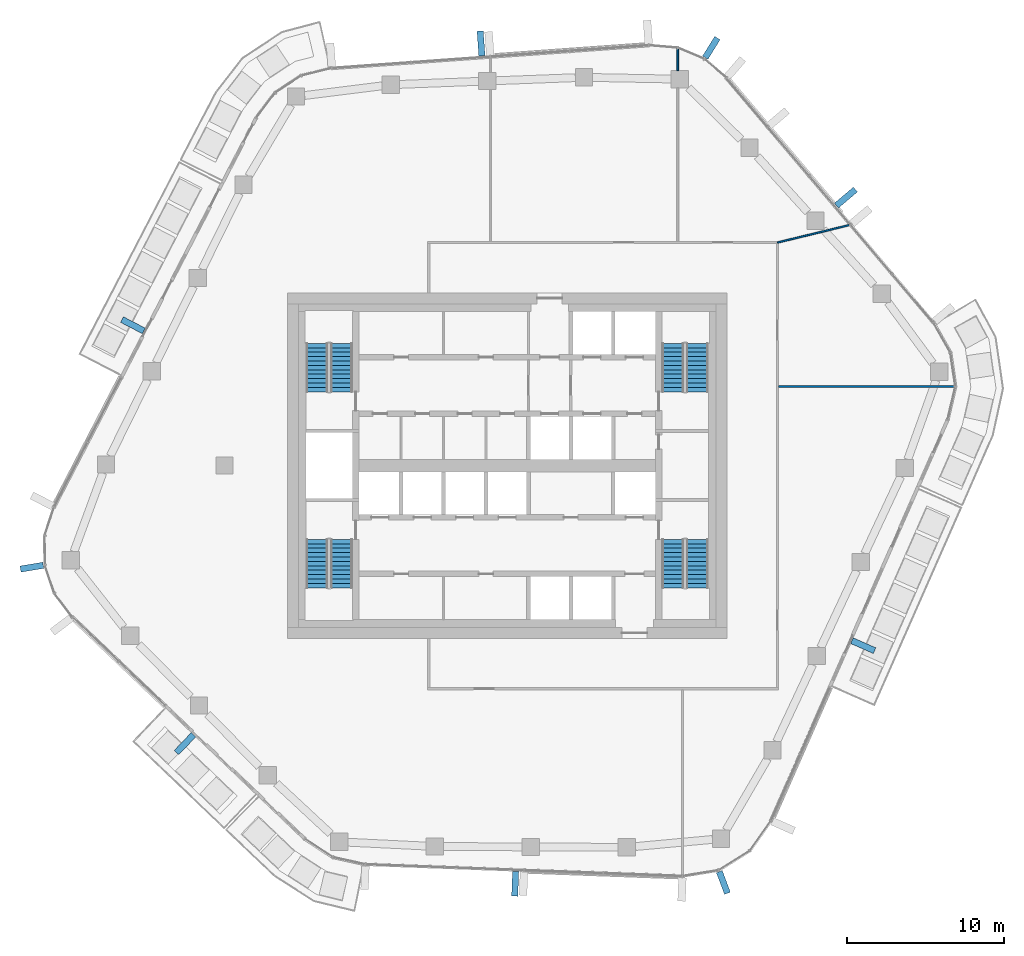
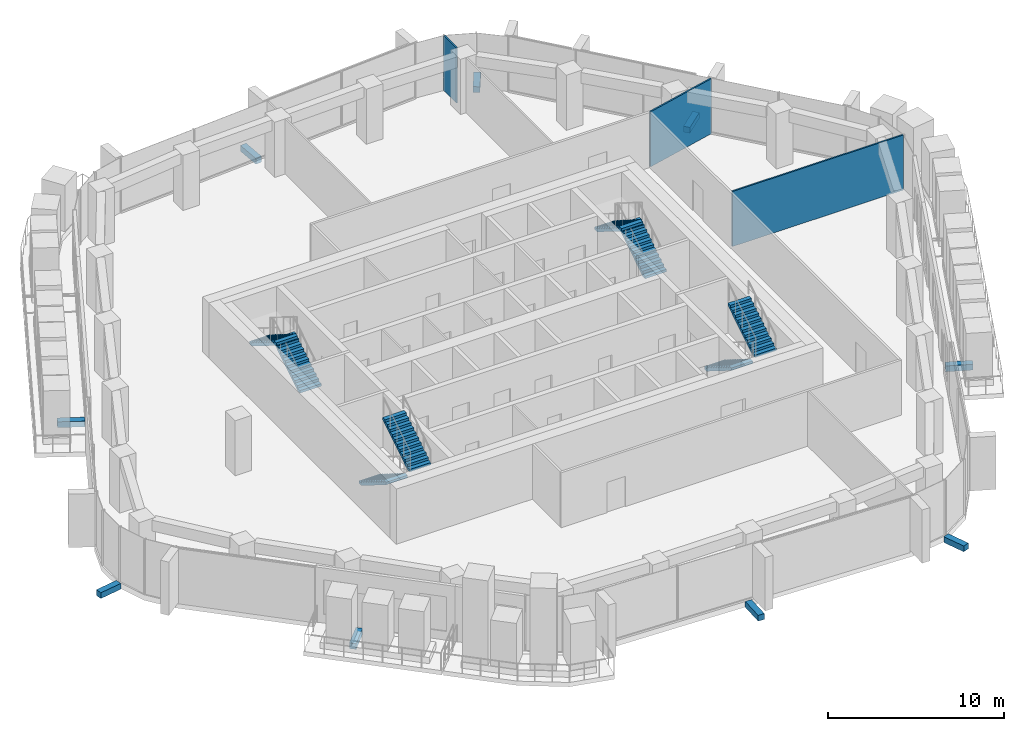
# One storey, part 14 of 21: 9 discrete accessories, 8 stair flights, 3 walls, 4 elements without a shape of their own.
"""IFC4 building model written with IfcOpenShell, lengths in metres."""

from ifc_helpers import new_model, si_unit, direction, frame, frame_2d, origin, origin_2d, place, context, subcontext, project, spatial, polyline, rectangle, outline, extrude, material, layer, layer_set, type_object, element, aggregate, save


model = new_model("IFC4")

# Units and contexts
model_context = context("Model", 3, precision=1e-05, world=origin(), true_north=direction((0.0, 1.0)))
body_context = subcontext(model_context, "Body", "Model", "MODEL_VIEW")
ifc_project = project(units=[si_unit("LENGTHUNIT", "METRE"), si_unit("AREAUNIT", "SQUARE_METRE"), si_unit("VOLUMEUNIT", "CUBIC_METRE"), si_unit("PLANEANGLEUNIT", "RADIAN"), si_unit("MASSUNIT", "GRAM", prefix="KILO")], contexts=[model_context])

# Site, building, storey
site_placement = place(None, origin())
site = spatial("IfcSite", under=ifc_project, at=site_placement, CompositionType="ELEMENT")
building_placement = place(site_placement, origin())
building = spatial("IfcBuilding", under=site, at=building_placement, Name="Dongbaek Canopy Tower", CompositionType="ELEMENT")
storey_placement = place(building_placement, frame((0.0, 0.0, 274.800048828125)))
storey = spatial("IfcBuildingStorey", under=building, at=storey_placement, Name="L58", CompositionType="ELEMENT", Elevation=274.800048828125)

# Walls
ifc_material_1 = material(Name="Gypsum board partition, steel stud, 2 x 12.5 mm board", Category="steel")
ifc_layer_1 = layer(ifc_material_1, 0.10009765625)
ifc_layer_set_1 = layer_set([ifc_layer_1], Name="Partition 100 gypsum board")
wall_type = type_object("IfcWallType", Name="Partition 100 gypsum board", PredefinedType="PARTITIONING", material=ifc_layer_set_1)
wall_1_placement = place(storey_placement, frame((17.27490234375, 5.033935546875, 0.0), z_axis=(0.0, 0.0, 1.0), x_axis=(1.0, 0.0, 0.0)))
element("IfcWall", 1, at=wall_1_placement, inside=storey, type_object=wall_type, Name="Partition", PredefinedType="PARTITIONING", context=body_context, shape_type="SweptSolid", body=[
    extrude(rectangle(XDim=11.22705078125, YDim=0.10009765625, at=frame_2d((5.613525390625, 0.0))), origin(), (0.0, 0.0, 1.0), 3.820068359375),
])
wall_2_placement = place(storey_placement, frame((17.199951171875, 14.2001953125, 0.0), z_axis=(0.0, 0.0, 1.0), x_axis=(0.971845844502, 0.235617602322, 0.0)))
element("IfcWall", 2, at=wall_2_placement, inside=storey, type_object=wall_type, Name="Partition", PredefinedType="PARTITIONING", context=body_context, shape_type="SweptSolid", body=[
    extrude(rectangle(XDim=4.7705078125, YDim=0.10009765625, at=frame_2d((2.38525390625, 0.0))), origin(), (0.0, 0.0, 1.0), 3.820068359375),
])
wall_3_placement = place(storey_placement, frame((10.85302734375, 25.14892578125, 0.0), z_axis=(0.0, 0.0, 1.0), x_axis=(0.0, 1.0, 0.0)))
element("IfcWall", 3, at=wall_3_placement, inside=storey, type_object=wall_type, Name="Partition", PredefinedType="PARTITIONING", context=body_context, shape_type="SweptSolid", body=[
    extrude(rectangle(XDim=1.42333984375, YDim=0.10009765625, at=frame_2d((0.711669921875, 0.0))), origin(), (0.0, 0.0, 1.0), 3.820068359375),
])

# Stair, stair flights
ifc_material_2 = material(Name="Concrete C40/50", Category="concrete")
stair_type = type_object("IfcStairType", Name="Core exit stair", PredefinedType="HALF_TURN_STAIR", material=ifc_material_2)
stair_1_placement = place(storey_placement, origin())
stair_1 = element("IfcStair", 4, at=stair_1_placement, inside=storey, type_object=stair_type, Name="L58 exit stair A", PredefinedType="HALF_TURN_STAIR")
ifc_material_3 = material(Name="Concrete C40/50", Category="concrete")
ifc_layer_2 = layer(ifc_material_3, 0.14990234375)
ifc_layer_set_2 = layer_set([ifc_layer_2], Name="Core stair flight 150 waist")
stair_flight_type = type_object("IfcStairFlightType", Name="Core stair flight 150 waist", PredefinedType="STRAIGHT", material=ifc_layer_set_2)
stair_flight_1_placement = place(storey_placement, frame((12.10009765625, 4.699951171875, 0.0), z_axis=(0.0, 0.0, 1.0), x_axis=(0.0, 1.0, 0.0)))
stair_flight_1 = element("IfcStairFlight", 5, at=stair_flight_1_placement, type_object=stair_flight_type, Name="ST-A flight 1", NumberOfRisers=12, NumberOfTreads=11, PredefinedType="STRAIGHT", RiserHeight=0.175, TreadLength=0.28, context=body_context, shape_type="SweptSolid", body=[
    extrude(outline(polyline([(0.0, 0.0), (0.0, 0.175048828125), (0.280029296875, 0.175048828125), (0.280029296875, 0.35009765625), (0.56005859375, 0.35009765625), (0.56005859375, 0.52490234375), (0.840087890625, 0.52490234375), (0.840087890625, 0.699951171875), (1.1201171875, 0.699951171875), (1.1201171875, 0.875), (1.39990234375, 0.875), (1.39990234375, 1.050048828125), (1.679931640625, 1.050048828125), (1.679931640625, 1.22509765625), (1.9599609375, 1.22509765625), (1.9599609375, 1.39990234375), (2.239990234375, 1.39990234375), (2.239990234375, 1.574951171875), (2.52001953125, 1.574951171875), (2.52001953125, 1.75), (2.800048828125, 1.75), (2.800048828125, 1.925048828125), (3.080078125, 1.925048828125), (3.080078125, 2.10009765625), (3.080078125, 1.748291015625), (0.28271484375, 0.0), (0.0, 0.0)])), frame((0.0, 0.699951171875, 0.0), z_axis=(0.0, -1.0, 0.0), x_axis=(1.0, 0.0, 0.0)), (0.0, 0.0, 1.0), 1.39990234375),
])
stair_flight_2_placement = place(storey_placement, frame((10.550048828125, 7.780029296875, 2.099853515625), z_axis=(0.0, 0.0, 1.0), x_axis=(0.0, -1.0, 0.0)))
stair_flight_2 = element("IfcStairFlight", 6, at=stair_flight_2_placement, type_object=stair_flight_type, Name="ST-A flight 2", NumberOfRisers=12, NumberOfTreads=11, PredefinedType="STRAIGHT", RiserHeight=0.175, TreadLength=0.28, context=body_context, shape_type="SweptSolid", body=[
    extrude(outline(polyline([(0.0, 0.0), (0.0, 0.175048828125), (0.280029296875, 0.175048828125), (0.280029296875, 0.35009765625), (0.56005859375, 0.35009765625), (0.56005859375, 0.52490234375), (0.840087890625, 0.52490234375), (0.840087890625, 0.699951171875), (1.1201171875, 0.699951171875), (1.1201171875, 0.875), (1.39990234375, 0.875), (1.39990234375, 1.050048828125), (1.679931640625, 1.050048828125), (1.679931640625, 1.22509765625), (1.9599609375, 1.22509765625), (1.9599609375, 1.39990234375), (2.239990234375, 1.39990234375), (2.239990234375, 1.574951171875), (2.52001953125, 1.574951171875), (2.52001953125, 1.75), (2.800048828125, 1.75), (2.800048828125, 1.925048828125), (3.080078125, 1.925048828125), (3.080078125, 2.10009765625), (3.080078125, 1.748291015625), (0.28271484375, 0.0), (0.0, 0.0)])), frame((0.0, 0.699951171875, 0.0), z_axis=(0.0, -1.0, 0.0), x_axis=(1.0, 0.0, 0.0)), (0.0, 0.0, 1.0), 1.39990234375),
])
aggregate(stair_1, [stair_flight_1, stair_flight_2])

stair_2_placement = place(storey_placement, origin())
stair_2 = element("IfcStair", 7, at=stair_2_placement, inside=storey, type_object=stair_type, Name="L58 exit stair C", PredefinedType="HALF_TURN_STAIR")
stair_flight_3_placement = place(storey_placement, frame((-10.550048828125, 4.699951171875, 0.0), z_axis=(0.0, 0.0, 1.0), x_axis=(0.0, 1.0, 0.0)))
stair_flight_3 = element("IfcStairFlight", 8, at=stair_flight_3_placement, type_object=stair_flight_type, Name="ST-C flight 1", NumberOfRisers=12, NumberOfTreads=11, PredefinedType="STRAIGHT", RiserHeight=0.175, TreadLength=0.28, context=body_context, shape_type="SweptSolid", body=[
    extrude(outline(polyline([(0.0, 0.0), (0.0, 0.175048828125), (0.280029296875, 0.175048828125), (0.280029296875, 0.35009765625), (0.56005859375, 0.35009765625), (0.56005859375, 0.52490234375), (0.840087890625, 0.52490234375), (0.840087890625, 0.699951171875), (1.1201171875, 0.699951171875), (1.1201171875, 0.875), (1.39990234375, 0.875), (1.39990234375, 1.050048828125), (1.679931640625, 1.050048828125), (1.679931640625, 1.22509765625), (1.9599609375, 1.22509765625), (1.9599609375, 1.39990234375), (2.239990234375, 1.39990234375), (2.239990234375, 1.574951171875), (2.52001953125, 1.574951171875), (2.52001953125, 1.75), (2.800048828125, 1.75), (2.800048828125, 1.925048828125), (3.080078125, 1.925048828125), (3.080078125, 2.10009765625), (3.080078125, 1.748291015625), (0.28271484375, 0.0), (0.0, 0.0)])), frame((0.0, 0.699951171875, 0.0), z_axis=(0.0, -1.0, 0.0), x_axis=(1.0, 0.0, 0.0)), (0.0, 0.0, 1.0), 1.39990234375),
])
stair_flight_4_placement = place(storey_placement, frame((-12.10009765625, 7.780029296875, 2.099853515625), z_axis=(0.0, 0.0, 1.0), x_axis=(0.0, -1.0, 0.0)))
stair_flight_4 = element("IfcStairFlight", 9, at=stair_flight_4_placement, type_object=stair_flight_type, Name="ST-C flight 2", NumberOfRisers=12, NumberOfTreads=11, PredefinedType="STRAIGHT", RiserHeight=0.175, TreadLength=0.28, context=body_context, shape_type="SweptSolid", body=[
    extrude(outline(polyline([(0.0, 0.0), (0.0, 0.175048828125), (0.280029296875, 0.175048828125), (0.280029296875, 0.35009765625), (0.56005859375, 0.35009765625), (0.56005859375, 0.52490234375), (0.840087890625, 0.52490234375), (0.840087890625, 0.699951171875), (1.1201171875, 0.699951171875), (1.1201171875, 0.875), (1.39990234375, 0.875), (1.39990234375, 1.050048828125), (1.679931640625, 1.050048828125), (1.679931640625, 1.22509765625), (1.9599609375, 1.22509765625), (1.9599609375, 1.39990234375), (2.239990234375, 1.39990234375), (2.239990234375, 1.574951171875), (2.52001953125, 1.574951171875), (2.52001953125, 1.75), (2.800048828125, 1.75), (2.800048828125, 1.925048828125), (3.080078125, 1.925048828125), (3.080078125, 2.10009765625), (3.080078125, 1.748291015625), (0.28271484375, 0.0), (0.0, 0.0)])), frame((0.0, 0.699951171875, 0.0), z_axis=(0.0, -1.0, 0.0), x_axis=(1.0, 0.0, 0.0)), (0.0, 0.0, 1.0), 1.39990234375),
])
aggregate(stair_2, [stair_flight_3, stair_flight_4])

stair_3_placement = place(storey_placement, origin())
stair_3 = element("IfcStair", 10, at=stair_3_placement, inside=storey, type_object=stair_type, Name="L58 exit stair B", PredefinedType="HALF_TURN_STAIR")
stair_flight_5_placement = place(storey_placement, frame((10.550048828125, -4.699951171875, 0.0), z_axis=(0.0, 0.0, 1.0), x_axis=(0.0, -1.0, 0.0)))
stair_flight_5 = element("IfcStairFlight", 11, at=stair_flight_5_placement, type_object=stair_flight_type, Name="ST-B flight 1", NumberOfRisers=12, NumberOfTreads=11, PredefinedType="STRAIGHT", RiserHeight=0.175, TreadLength=0.28, context=body_context, shape_type="SweptSolid", body=[
    extrude(outline(polyline([(0.0, 0.0), (0.0, 0.175048828125), (0.280029296875, 0.175048828125), (0.280029296875, 0.35009765625), (0.56005859375, 0.35009765625), (0.56005859375, 0.52490234375), (0.840087890625, 0.52490234375), (0.840087890625, 0.699951171875), (1.1201171875, 0.699951171875), (1.1201171875, 0.875), (1.39990234375, 0.875), (1.39990234375, 1.050048828125), (1.679931640625, 1.050048828125), (1.679931640625, 1.22509765625), (1.9599609375, 1.22509765625), (1.9599609375, 1.39990234375), (2.239990234375, 1.39990234375), (2.239990234375, 1.574951171875), (2.52001953125, 1.574951171875), (2.52001953125, 1.75), (2.800048828125, 1.75), (2.800048828125, 1.925048828125), (3.080078125, 1.925048828125), (3.080078125, 2.10009765625), (3.080078125, 1.748291015625), (0.28271484375, 0.0), (0.0, 0.0)])), frame((0.0, 0.699951171875, 0.0), z_axis=(0.0, -1.0, 0.0), x_axis=(1.0, 0.0, 0.0)), (0.0, 0.0, 1.0), 1.39990234375),
])
stair_flight_6_placement = place(storey_placement, frame((12.10009765625, -7.780029296875, 2.099853515625), z_axis=(0.0, 0.0, 1.0), x_axis=(0.0, 1.0, 0.0)))
stair_flight_6 = element("IfcStairFlight", 12, at=stair_flight_6_placement, type_object=stair_flight_type, Name="ST-B flight 2", NumberOfRisers=12, NumberOfTreads=11, PredefinedType="STRAIGHT", RiserHeight=0.175, TreadLength=0.28, context=body_context, shape_type="SweptSolid", body=[
    extrude(outline(polyline([(0.0, 0.0), (0.0, 0.175048828125), (0.280029296875, 0.175048828125), (0.280029296875, 0.35009765625), (0.56005859375, 0.35009765625), (0.56005859375, 0.52490234375), (0.840087890625, 0.52490234375), (0.840087890625, 0.699951171875), (1.1201171875, 0.699951171875), (1.1201171875, 0.875), (1.39990234375, 0.875), (1.39990234375, 1.050048828125), (1.679931640625, 1.050048828125), (1.679931640625, 1.22509765625), (1.9599609375, 1.22509765625), (1.9599609375, 1.39990234375), (2.239990234375, 1.39990234375), (2.239990234375, 1.574951171875), (2.52001953125, 1.574951171875), (2.52001953125, 1.75), (2.800048828125, 1.75), (2.800048828125, 1.925048828125), (3.080078125, 1.925048828125), (3.080078125, 2.10009765625), (3.080078125, 1.748291015625), (0.28271484375, 0.0), (0.0, 0.0)])), frame((0.0, 0.699951171875, 0.0), z_axis=(0.0, -1.0, 0.0), x_axis=(1.0, 0.0, 0.0)), (0.0, 0.0, 1.0), 1.39990234375),
])
aggregate(stair_3, [stair_flight_5, stair_flight_6])

stair_4_placement = place(storey_placement, origin())
stair_4 = element("IfcStair", 13, at=stair_4_placement, inside=storey, type_object=stair_type, Name="L58 exit stair D", PredefinedType="HALF_TURN_STAIR")
stair_flight_7_placement = place(storey_placement, frame((-12.10009765625, -4.699951171875, 0.0), z_axis=(0.0, 0.0, 1.0), x_axis=(0.0, -1.0, 0.0)))
stair_flight_7 = element("IfcStairFlight", 14, at=stair_flight_7_placement, type_object=stair_flight_type, Name="ST-D flight 1", NumberOfRisers=12, NumberOfTreads=11, PredefinedType="STRAIGHT", RiserHeight=0.175, TreadLength=0.28, context=body_context, shape_type="SweptSolid", body=[
    extrude(outline(polyline([(0.0, 0.0), (0.0, 0.175048828125), (0.280029296875, 0.175048828125), (0.280029296875, 0.35009765625), (0.56005859375, 0.35009765625), (0.56005859375, 0.52490234375), (0.840087890625, 0.52490234375), (0.840087890625, 0.699951171875), (1.1201171875, 0.699951171875), (1.1201171875, 0.875), (1.39990234375, 0.875), (1.39990234375, 1.050048828125), (1.679931640625, 1.050048828125), (1.679931640625, 1.22509765625), (1.9599609375, 1.22509765625), (1.9599609375, 1.39990234375), (2.239990234375, 1.39990234375), (2.239990234375, 1.574951171875), (2.52001953125, 1.574951171875), (2.52001953125, 1.75), (2.800048828125, 1.75), (2.800048828125, 1.925048828125), (3.080078125, 1.925048828125), (3.080078125, 2.10009765625), (3.080078125, 1.748291015625), (0.28271484375, 0.0), (0.0, 0.0)])), frame((0.0, 0.699951171875, 0.0), z_axis=(0.0, -1.0, 0.0), x_axis=(1.0, 0.0, 0.0)), (0.0, 0.0, 1.0), 1.39990234375),
])
stair_flight_8_placement = place(storey_placement, frame((-10.550048828125, -7.780029296875, 2.099853515625), z_axis=(0.0, 0.0, 1.0), x_axis=(0.0, 1.0, 0.0)))
stair_flight_8 = element("IfcStairFlight", 15, at=stair_flight_8_placement, type_object=stair_flight_type, Name="ST-D flight 2", NumberOfRisers=12, NumberOfTreads=11, PredefinedType="STRAIGHT", RiserHeight=0.175, TreadLength=0.28, context=body_context, shape_type="SweptSolid", body=[
    extrude(outline(polyline([(0.0, 0.0), (0.0, 0.175048828125), (0.280029296875, 0.175048828125), (0.280029296875, 0.35009765625), (0.56005859375, 0.35009765625), (0.56005859375, 0.52490234375), (0.840087890625, 0.52490234375), (0.840087890625, 0.699951171875), (1.1201171875, 0.699951171875), (1.1201171875, 0.875), (1.39990234375, 0.875), (1.39990234375, 1.050048828125), (1.679931640625, 1.050048828125), (1.679931640625, 1.22509765625), (1.9599609375, 1.22509765625), (1.9599609375, 1.39990234375), (2.239990234375, 1.39990234375), (2.239990234375, 1.574951171875), (2.52001953125, 1.574951171875), (2.52001953125, 1.75), (2.800048828125, 1.75), (2.800048828125, 1.925048828125), (3.080078125, 1.925048828125), (3.080078125, 2.10009765625), (3.080078125, 1.748291015625), (0.28271484375, 0.0), (0.0, 0.0)])), frame((0.0, 0.699951171875, 0.0), z_axis=(0.0, -1.0, 0.0), x_axis=(1.0, 0.0, 0.0)), (0.0, 0.0, 1.0), 1.39990234375),
])
aggregate(stair_4, [stair_flight_7, stair_flight_8])

# Discrete accessories
ifc_material_4 = material(Name="Galvanised steel S355 bracket", Category="steel")
discrete_accessory_type = type_object("IfcDiscreteAccessoryType", Name="Crease fin bracket BR3 400", PredefinedType="BRACKET", material=ifc_material_4)
discrete_accessory_1_placement = place(storey_placement, frame((21.5595703125, 17.060302734375, -0.389892578125), z_axis=(0.0, 0.0, 1.0), x_axis=(0.763291106991, 0.6460547082, 0.0)))
element("IfcDiscreteAccessory", 16, at=discrete_accessory_1_placement, inside=storey, type_object=discrete_accessory_type, Name="Crease fin bracket L58 F0", PredefinedType="BRACKET", context=body_context, shape_type="SweptSolid", body=[
    extrude(rectangle(XDim=1.58056640625, YDim=0.39990234375, at=origin_2d()), origin(), (0.0, 0.0, 1.0), 0.39990234375),
])
discrete_accessory_2_placement = place(storey_placement, frame((-1.66748046875, 26.8740234375, -0.389892578125), z_axis=(0.0, 0.0, 1.0), x_axis=(-0.07174464462, 0.997423032604, 0.0)))
element("IfcDiscreteAccessory", 17, at=discrete_accessory_2_placement, inside=storey, type_object=discrete_accessory_type, Name="Crease fin bracket L58 F1", PredefinedType="BRACKET", context=body_context, shape_type="SweptSolid", body=[
    extrude(rectangle(XDim=1.578125, YDim=0.39990234375, at=origin_2d()), origin(), (0.0, 0.0, 1.0), 0.39990234375),
])
for number, where, z_axis, x_axis, name in (
    (18, (-23.83203125, 8.936767578125, -0.389892578125), (0.0, 0.0, 1.0), (-0.887462519706, 0.460879893376, 0.0), "Crease fin bracket L58 F2"),
    (19, (-20.51171875, -17.7001953125, -0.389892578125), (0.0, 0.0, 1.0), (-0.690481047292, -0.723350484434, 0.0), "Crease fin bracket L58 F3"),
):
    element("IfcDiscreteAccessory", number, at=place(storey_placement, frame(where, z_axis=z_axis, x_axis=x_axis)), inside=storey, type_object=discrete_accessory_type, Name=name, PredefinedType="BRACKET", context=body_context, shape_type="SweptSolid", body=[
        extrude(rectangle(XDim=1.5673828125, YDim=0.39990234375, at=origin_2d()), origin(), (0.0, 0.0, 1.0), 0.39990234375),
    ])
discrete_accessory_3_placement = place(storey_placement, frame((0.506591796875, -26.622802734375, -0.389892578125), z_axis=(0.0, 0.0, 1.0), x_axis=(-0.036873936466, -0.999319925154, 0.0)))
element("IfcDiscreteAccessory", 20, at=discrete_accessory_3_placement, inside=storey, type_object=discrete_accessory_type, Name="Crease fin bracket L58 F4", PredefinedType="BRACKET", context=body_context, shape_type="SweptSolid", body=[
    extrude(rectangle(XDim=1.570556640625, YDim=0.39990234375, at=origin_2d()), origin(), (0.0, 0.0, 1.0), 0.39990234375),
])
discrete_accessory_4_placement = place(storey_placement, frame((22.663818359375, -11.46337890625, -0.389892578125), z_axis=(0.0, 0.0, 1.0), x_axis=(0.915073027151, -0.403288178578, 0.0)))
element("IfcDiscreteAccessory", 21, at=discrete_accessory_4_placement, inside=storey, type_object=discrete_accessory_type, Name="Crease fin bracket L58 F5", PredefinedType="BRACKET", context=body_context, shape_type="SweptSolid", body=[
    extrude(rectangle(XDim=1.572021484375, YDim=0.39990234375, at=origin_2d()), origin(), (0.0, 0.0, 1.0), 0.39990234375),
])
for number, where, z_axis, x_axis, name in (
    (22, (12.990966796875, 26.590576171875, -0.389892578125), (0.0, 0.0, 1.0), (0.526936511908, 0.849904649016, 0.0), "Corner fin bracket L58 K1"),
    (23, (-30.25732421875, -6.46630859375, -0.389892578125), (0.0, 0.0, 1.0), (-0.986446731752, -0.164081825364, 0.0), "Corner fin bracket L58 K3"),
    (24, (13.75927734375, -26.5361328125, -0.389892578125), (0.0, 0.0, 1.0), (0.35287395283, -0.935670868102, 0.0), "Corner fin bracket L58 K5"),
):
    element("IfcDiscreteAccessory", number, at=place(storey_placement, frame(where, z_axis=z_axis, x_axis=x_axis)), inside=storey, type_object=discrete_accessory_type, Name=name, PredefinedType="BRACKET", context=body_context, shape_type="SweptSolid", body=[
        extrude(rectangle(XDim=1.469970703125, YDim=0.39990234375, at=origin_2d()), origin(), (0.0, 0.0, 1.0), 0.39990234375),
    ])

save(model, "model.ifc")
